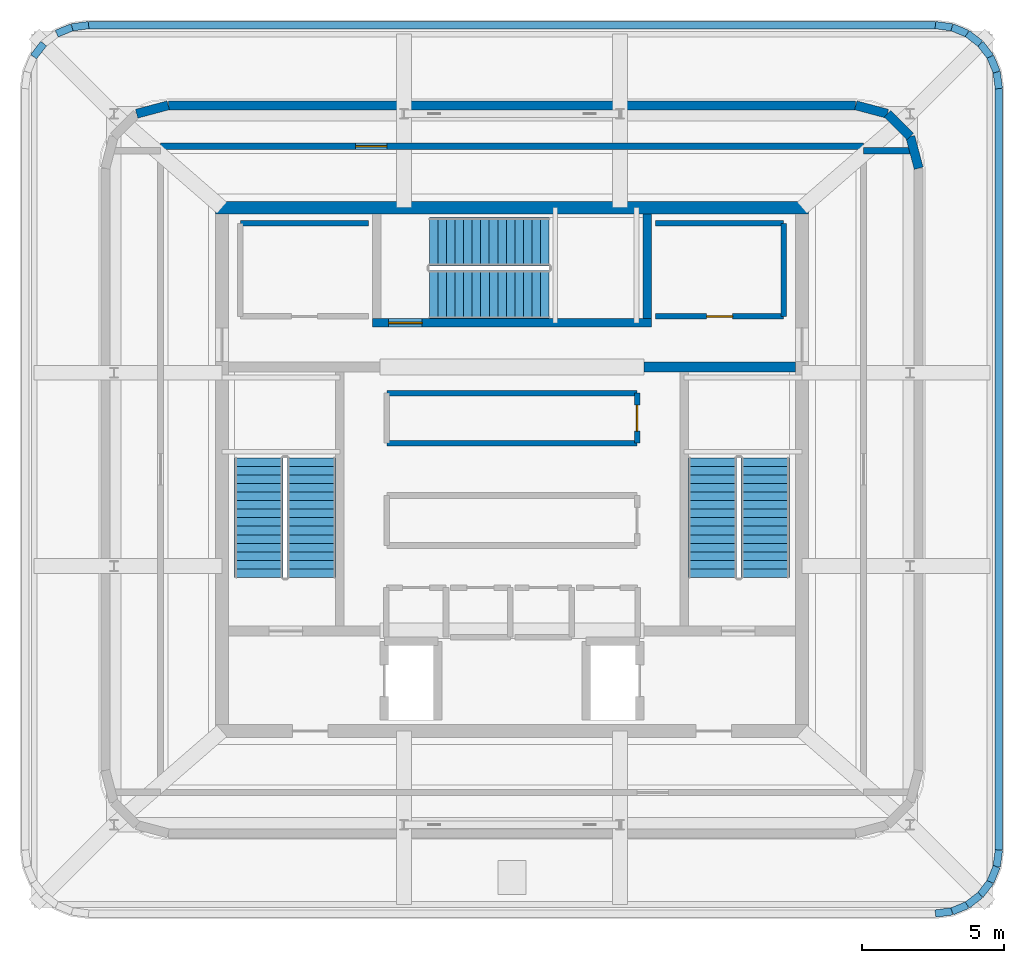
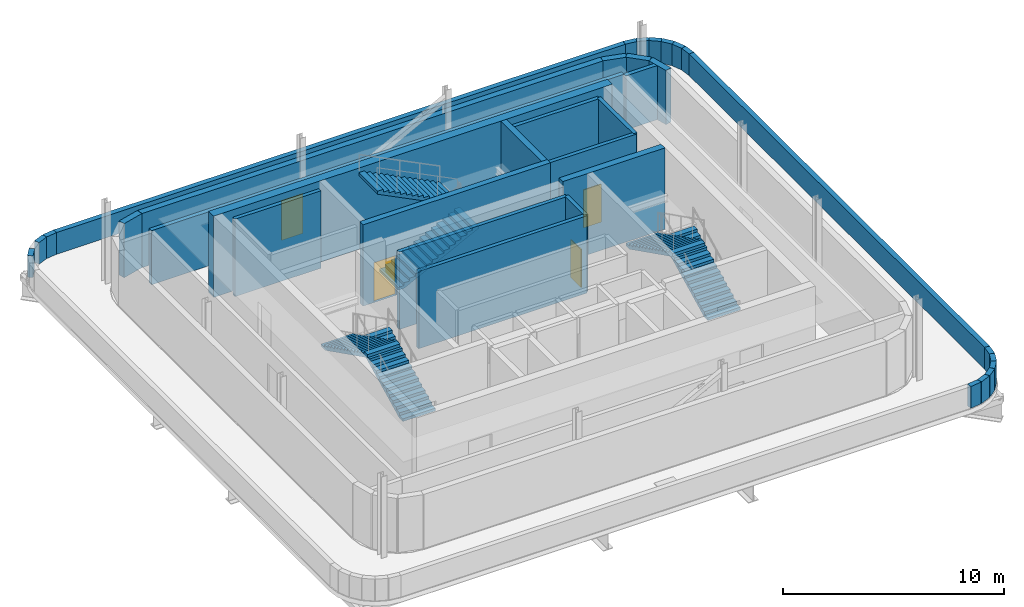
# One storey, part 4 of 5: 35 walls, 6 stair flights, 4 doors, 4 openings, 3 elements without a shape of their own.
"""IFC4 building model written with IfcOpenShell, lengths in metres."""

import ifcopenshell
import ifcopenshell.guid

model = None  # the IFC model being written
_history = None  # IfcOwnerHistory: only IFC2X3 demands one
_inside = {}  # id of a spatial element -> (the spatial element, [elements in it])
_under = {}  # id of a project, library or spatial element -> (it, [spatial elements below it])
_declared = {}  # id of a project -> (the project, [libraries it declares])
_typed = {}  # id of a type object -> (the type object, [elements of that type])
_made_of = {}  # id of a material, layer set ... -> (it, [elements and type objects made of it])


def new_model(schema):
    """Start an empty IFC model of exactly this schema.

    Asked for "IFC4X3", IfcOpenShell would pick the latest addendum, in which some entities
    have other attributes; the version numbers below select the first issue.
    IFC2X3 requires an IfcOwnerHistory on every rooted entity: one is made here for all.
    """
    global model, _history
    if schema == "IFC4X3":
        model = ifcopenshell.file(schema_version=(4, 3, 0, 0))
    else:
        model = ifcopenshell.file(schema=schema)
    _inside.clear()
    _under.clear()
    _declared.clear()
    _typed.clear()
    _made_of.clear()
    _history = None
    if model.schema == "IFC2X3":
        org = make("IfcOrganization", Name="unknown")
        user = make(
            "IfcPersonAndOrganization",
            ThePerson=make("IfcPerson", FamilyName="unknown"),
            TheOrganization=org,
        )
        app = make(
            "IfcApplication",
            ApplicationDeveloper=org,
            Version="unknown",
            ApplicationFullName="unknown",
            ApplicationIdentifier="unknown",
        )
        _history = make(
            "IfcOwnerHistory",
            OwningUser=user,
            OwningApplication=app,
            ChangeAction="ADDED",
            CreationDate=0,
        )
    return model


def make(cls, **values):
    """One entity of the class cls with the attributes given. An attribute that is None is left unset."""
    return model.create_entity(
        cls, **{name: value for name, value in values.items() if value is not None}
    )


def rooted(cls, **values):
    """An entity with a GlobalId (a new one), such as an element, a storey or a relation."""
    return make(cls, GlobalId=ifcopenshell.guid.new(), OwnerHistory=_history, **values)


def si_unit(unit_type, name, prefix=None):
    """IfcSIUnit, for example si_unit("LENGTHUNIT", "METRE", prefix="MILLI")."""
    return make("IfcSIUnit", UnitType=unit_type, Prefix=prefix, Name=name)


def assignment(units):
    """IfcUnitAssignment: the units of a project."""
    return None if units is None else make("IfcUnitAssignment", Units=units)


def point(xyz):
    """IfcCartesianPoint."""
    return None if xyz is None else make("IfcCartesianPoint", Coordinates=xyz)


def direction(xyz):
    """IfcDirection."""
    return None if xyz is None else make("IfcDirection", DirectionRatios=xyz)


def frame(location, z_axis=None, x_axis=None):
    """IfcAxis2Placement3D, a coordinate frame: its origin and axes. An axis left out is left unset."""
    return make(
        "IfcAxis2Placement3D",
        Location=point(location),
        Axis=direction(z_axis),
        RefDirection=direction(x_axis),
    )


def frame_2d(location, x_axis=None):
    """IfcAxis2Placement2D, a coordinate frame in the plane: its origin and x axis."""
    return make(
        "IfcAxis2Placement2D", Location=point(location), RefDirection=direction(x_axis)
    )


def origin():
    """The frame at (0, 0, 0) with its axes left unset."""
    return frame((0.0, 0.0, 0.0))


def place(relative_to, where):
    """IfcLocalPlacement: puts the frame where relative to a parent placement (None: the world)."""
    return make(
        "IfcLocalPlacement", PlacementRelTo=relative_to, RelativePlacement=where
    )


def context(
    kind, dimensions, precision=None, world=None, true_north=None, identifier=None
):
    """IfcGeometricRepresentationContext, for example the 3D "Model" context."""
    return make(
        "IfcGeometricRepresentationContext",
        ContextIdentifier=identifier,
        ContextType=kind,
        CoordinateSpaceDimension=dimensions,
        Precision=precision,
        WorldCoordinateSystem=world,
        TrueNorth=true_north,
    )


def subcontext(parent, identifier, kind, view, scale=None):
    """IfcGeometricRepresentationSubContext, for example "Body" below "Model"."""
    return make(
        "IfcGeometricRepresentationSubContext",
        ContextIdentifier=identifier,
        ContextType=kind,
        ParentContext=parent,
        TargetScale=scale,
        TargetView=view,
    )


def project(units=None, contexts=None):
    """IfcProject with its units and contexts."""
    return rooted(
        "IfcProject",
        Name="project",
        RepresentationContexts=contexts,
        UnitsInContext=assignment(units),
    )


def spatial(cls, under=None, at=None, **own):
    """A site, building, storey or space (cls), placed at a placement, below another one or the project."""
    s = rooted(cls, ObjectPlacement=at, **own)
    if under is not None:
        _under.setdefault(under.id(), (under, []))[1].append(s)
    return s


def polyline(points):
    """IfcPolyline through the points."""
    return make("IfcPolyline", Points=[point(p) for p in points])


def profile(cls, at=None, kind="AREA", **sizes):
    """A parametric profile (cls). Its sizes go by their IFC names, for example OverallWidth=200.0."""
    return make(cls, ProfileType=kind, Position=at, **sizes)


def rectangle(**sizes):
    """IfcRectangleProfileDef."""
    return profile("IfcRectangleProfileDef", **sizes)


def outline(outer, holes=None, kind="AREA"):
    """IfcArbitraryClosedProfileDef: a profile drawn as a closed curve; with holes, ...WithVoids."""
    if holes is None:
        return make("IfcArbitraryClosedProfileDef", ProfileType=kind, OuterCurve=outer)
    return make(
        "IfcArbitraryProfileDefWithVoids",
        ProfileType=kind,
        OuterCurve=outer,
        InnerCurves=holes,
    )


def extrude(swept, where, along, depth):
    """IfcExtrudedAreaSolid: the profile swept, set in the frame where, extruded along a direction by depth."""
    return make(
        "IfcExtrudedAreaSolid",
        SweptArea=swept,
        Position=where,
        ExtrudedDirection=direction(along),
        Depth=depth,
    )


def shape(context_of_items, identifier, shape_type, items):
    """IfcShapeRepresentation: the items that make up one representation, for example the "Body"."""
    return make(
        "IfcShapeRepresentation",
        ContextOfItems=context_of_items,
        RepresentationIdentifier=identifier,
        RepresentationType=shape_type,
        Items=items,
    )


def material(Name=None, Category=None):
    """IfcMaterial."""
    return make("IfcMaterial", Name=Name, Category=Category)


def layer(
    of_material, thickness, ventilated=None, Name=None, Category=None, Priority=None
):
    """IfcMaterialLayer: one layer of a wall or slab, of a material (None: an air gap)."""
    return make(
        "IfcMaterialLayer",
        Material=of_material,
        LayerThickness=thickness,
        IsVentilated=ventilated,
        Name=Name,
        Category=Category,
        Priority=Priority,
    )


def layer_set(layers, Name=None):
    """IfcMaterialLayerSet."""
    return make("IfcMaterialLayerSet", MaterialLayers=layers, LayerSetName=Name)


def made_of(thing, what):
    """Note that an element or type object is made of a material, layer set ...; save() writes the relation."""
    if what is not None:
        _made_of.setdefault(what.id(), (what, []))[1].append(thing)
    return thing


def type_object(cls, material=None, **own):
    """A type object (cls), such as IfcWallType, which elements share."""
    return made_of(rooted(cls, **own), material)


def element(
    cls,
    number,
    at=None,
    inside=None,
    cuts=None,
    type_object=None,
    material=None,
    context=None,
    identifier="Body",
    shape_type=None,
    held_by="IfcProductDefinitionShape",
    body=None,
    shapes=None,
    **own,
):
    """One element of the class cls, such as IfcWall. Its Tag is "e" and its number.

    at: its placement. inside: the storey or other place that contains it. cuts: it is an
    opening in that element (IfcRelVoidsElement). A single representation is given by context,
    identifier, shape_type and body (its items); several are given by shapes. held_by: the class
    of the entity that holds the representations. save() writes the other relations.
    """
    e = rooted(cls, Tag="e%d" % number, ObjectPlacement=at, **own)
    if body is not None:
        shapes = [shape(context, identifier, shape_type, body)]
    if shapes is not None:
        e.Representation = make(held_by, Representations=shapes)
    if inside is not None:
        _inside.setdefault(inside.id(), (inside, []))[1].append(e)
    if cuts is not None:
        rooted(
            "IfcRelVoidsElement", RelatingBuildingElement=cuts, RelatedOpeningElement=e
        )
    if type_object is not None:
        _typed.setdefault(type_object.id(), (type_object, []))[1].append(e)
    return made_of(e, material)


def fill(opening, filler):
    """IfcRelFillsElement: the door or window that sits in an opening."""
    return rooted(
        "IfcRelFillsElement",
        RelatingOpeningElement=opening,
        RelatedBuildingElement=filler,
    )


def aggregate(whole, parts):
    """IfcRelAggregates: a whole, such as a stair, and the parts it consists of."""
    return rooted("IfcRelAggregates", RelatingObject=whole, RelatedObjects=parts)


def save(model, path):
    """Write the relations noted so far, then the file.

    IfcRelAggregates (storeys below a building ...), IfcRelContainedInSpatialStructure (elements
    in a storey), IfcRelDefinesByType, IfcRelAssociatesMaterial and IfcRelDeclares: one each for
    every whole, place, type object, material and project.
    """
    for whole, parts in _under.values():
        aggregate(whole, parts)
    for where, things in _inside.values():
        rooted(
            "IfcRelContainedInSpatialStructure",
            RelatedElements=things,
            RelatingStructure=where,
        )
    for kind, things in _typed.values():
        rooted("IfcRelDefinesByType", RelatedObjects=things, RelatingType=kind)
    for what, things in _made_of.values():
        rooted("IfcRelAssociatesMaterial", RelatedObjects=things, RelatingMaterial=what)
    for by, libraries in _declared.values():
        rooted("IfcRelDeclares", RelatingContext=by, RelatedDefinitions=libraries)
    model.write(path)


model = new_model("IFC4")

# Units and contexts
model_context = context("Model", 3, precision=1e-05, world=origin(), true_north=direction((0.0, 1.0)))
body_context = subcontext(model_context, "Body", "Model", "MODEL_VIEW")
ifc_project = project(units=[si_unit("LENGTHUNIT", "METRE"), si_unit("AREAUNIT", "SQUARE_METRE"), si_unit("VOLUMEUNIT", "CUBIC_METRE"), si_unit("PLANEANGLEUNIT", "RADIAN"), si_unit("MASSUNIT", "GRAM", prefix="KILO")], contexts=[model_context])

# Site, building, storey
site_placement = place(None, origin())
site = spatial("IfcSite", under=ifc_project, at=site_placement, CompositionType="ELEMENT")
building_placement = place(site_placement, origin())
building = spatial("IfcBuilding", under=site, at=building_placement, Name="Punatoya Terracotta Tower", CompositionType="ELEMENT")
storey_placement = place(building_placement, frame((0.0, 0.0, 361.800048828125)))
storey = spatial("IfcBuildingStorey", under=building, at=storey_placement, Name="L85", CompositionType="ELEMENT", Elevation=361.800048828125)

# Walls
ifc_material_1 = material(Name="Concrete C50/60", Category="concrete")
ifc_layer_1 = layer(ifc_material_1, 0.449951171875)
ifc_layer_set_1 = layer_set([ifc_layer_1], Name="Concrete C50/60")
wall_type_1 = type_object("IfcWallType", Name="WL-COR-450", PredefinedType="SHEAR", material=ifc_layer_set_1)
wall_1_placement = place(storey_placement, frame((-10.425048828125, 9.199951171875, 0.0), z_axis=(0.0, 0.0, 1.0), x_axis=(1.0, 0.0, 0.0)))
element("IfcWall", 1, at=wall_1_placement, inside=storey, type_object=wall_type_1, Name="L85 Core Shear Wall N", PredefinedType="SHEAR", context=body_context, shape_type="SweptSolid", body=[
    extrude(rectangle(XDim=20.85009765625, YDim=0.449951171875, at=frame_2d((10.425048828125, 0.0))), origin(), (0.0, 0.0, 1.0), 4.5),
])
ifc_material_2 = material(Name="Precast concrete C40/50", Category="concrete")
ifc_layer_2 = layer(ifc_material_2, 0.320068359375)
ifc_layer_set_2 = layer_set([ifc_layer_2], Name="Precast concrete C40/50")
wall_type_2 = type_object("IfcWallType", Name="WL-EXT-320", PredefinedType="SOLIDWALL", material=ifc_layer_set_2)
wall_2_placement = place(storey_placement, frame((14.300048828125, 10.5869140625, 0.0), z_axis=(0.0, 0.0, 1.0), x_axis=(-0.25727979053, 0.966336954372, 0.0)))
element("IfcWall", 2, at=wall_2_placement, inside=storey, type_object=wall_type_2, Name="L85 Rounded Terracotta Corner Pier 06", PredefinedType="SOLIDWALL", context=body_context, shape_type="SweptSolid", body=[
    extrude(rectangle(XDim=1.151123046875, YDim=0.320068359375, at=frame_2d((0.57568359375, 0.0))), origin(), (0.0, 0.0, 1.0), 2.993896484375),
])
wall_3_placement = place(storey_placement, frame((14.00390625, 11.69921875, 0.0), z_axis=(0.0, 0.0, 1.0), x_axis=(-0.707106781187, 0.707106781187, 0.0)))
element("IfcWall", 3, at=wall_3_placement, inside=storey, type_object=wall_type_2, Name="L85 Rounded Terracotta Corner Pier 07", PredefinedType="SOLIDWALL", context=body_context, shape_type="SweptSolid", body=[
    extrude(rectangle(XDim=1.137939453125, YDim=0.320068359375, at=frame_2d((0.56884765625, 0.0))), origin(), (0.0, 0.0, 1.0), 2.993896484375),
])
wall_4_placement = place(storey_placement, frame((13.19921875, 12.50390625, 0.0), z_axis=(0.0, 0.0, 1.0), x_axis=(-0.966336954372, 0.25727979053, 0.0)))
element("IfcWall", 4, at=wall_4_placement, inside=storey, type_object=wall_type_2, Name="L85 Rounded Terracotta Corner Pier 08", PredefinedType="SOLIDWALL", context=body_context, shape_type="SweptSolid", body=[
    extrude(rectangle(XDim=1.151123046875, YDim=0.320068359375, at=frame_2d((0.57568359375, 0.0))), origin(), (0.0, 0.0, 1.0), 2.993896484375),
])
wall_5_placement = place(storey_placement, frame((12.0869140625, 12.800048828125, 0.0), z_axis=(0.0, 0.0, 1.0), x_axis=(-1.0, 0.0, 0.0)))
element("IfcWall", 5, at=wall_5_placement, inside=storey, type_object=wall_type_2, Name="L85 Terracotta Louvre Plant Enclosure N", PredefinedType="SOLIDWALL", context=body_context, shape_type="SweptSolid", body=[
    extrude(rectangle(XDim=24.173828125, YDim=0.320068359375, at=frame_2d((12.0869140625, 0.0))), origin(), (0.0, 0.0, 1.0), 2.993896484375),
])
wall_6_placement = place(storey_placement, frame((-12.0869140625, 12.800048828125, 0.0), z_axis=(0.0, 0.0, 1.0), x_axis=(-0.966336954372, -0.25727979053, 0.0)))
element("IfcWall", 6, at=wall_6_placement, inside=storey, type_object=wall_type_2, Name="L85 Rounded Terracotta Corner Pier 10", PredefinedType="SOLIDWALL", context=body_context, shape_type="SweptSolid", body=[
    extrude(rectangle(XDim=1.151123046875, YDim=0.320068359375, at=frame_2d((0.57568359375, 0.0))), origin(), (0.0, 0.0, 1.0), 2.993896484375),
])
ifc_material_3 = material(Name="Concrete C40/50", Category="concrete")
ifc_layer_3 = layer(ifc_material_3, 0.219970703125)
ifc_layer_set_3 = layer_set([ifc_layer_3], Name="Concrete C40/50")
wall_type_3 = type_object("IfcWallType", Name="WL-FIR-220", PredefinedType="SOLIDWALL", material=ifc_layer_set_3)
wall_7_placement = place(storey_placement, frame((12.360107421875, 11.199951171875, 0.0), z_axis=(0.0, 0.0, 1.0), x_axis=(1.0, 0.0, 0.0)))
element("IfcWall", 7, at=wall_7_placement, inside=storey, type_object=wall_type_3, Name="L85 Crown East Lift Machine and BMS Control Plant Partition 32", PredefinedType="SOLIDWALL", context=body_context, shape_type="SweptSolid", body=[
    extrude(rectangle(XDim=1.828857421875, YDim=0.219970703125, at=frame_2d((0.91455078125, 0.0))), origin(), (0.0, 0.0, 1.0), 2.993896484375),
])

# Wall, opening, door
wall_8_placement = place(storey_placement, frame((12.360107421875, 11.360107421875, 0.0), z_axis=(0.0, 0.0, 1.0), x_axis=(-1.0, 0.0, 0.0)))
wall_8 = element("IfcWall", 8, at=wall_8_placement, inside=storey, type_object=wall_type_3, Name="L85 Crown North Standby Power and Booster Pump Plant Partition 33", PredefinedType="SOLIDWALL", context=body_context, shape_type="SweptSolid", body=[
    extrude(rectangle(XDim=24.72021484375, YDim=0.219970703125, at=frame_2d((12.360107421875, 0.0))), origin(), (0.0, 0.0, 1.0), 2.993896484375),
])
opening_1_placement = place(wall_8_placement, frame((16.760009765625, 0.0, 0.0)))
opening_1 = element("IfcOpeningElement", 9, at=opening_1_placement, cuts=wall_8, Name="Opening FD-P1", PredefinedType="OPENING", context=body_context, shape_type="SweptSolid", body=[
    extrude(rectangle(XDim=1.10009765625, YDim=2.199951171875, at=frame_2d((0.550048828125, 1.10009765625))), frame((0.0, 0.119873046875, 0.0), z_axis=(0.0, -1.0, 0.0), x_axis=(1.0, 0.0, 0.0)), (0.0, 0.0, 1.0), 0.239990234375),
])
ifc_material_4 = material(Name="Galvanised Steel Plant Fire Door", Category="steel")
door_type_1 = type_object("IfcDoorType", Name="DR-PLT-1100", OperationType="NOTDEFINED", PredefinedType="DOOR", material=ifc_material_4)
door_1_placement = place(opening_1_placement, origin())
door_1 = element("IfcDoor", 10, at=door_1_placement, inside=storey, type_object=door_type_1, Name="L85 Crown North Standby Power and Booster Pump Plant Fire Door", OperationType="SINGLE_SWING_RIGHT", OverallHeight=2.199951171875, OverallWidth=1.10009765625, PredefinedType="DOOR", context=body_context, shape_type="SweptSolid", body=[
    extrude(rectangle(XDim=1.10009765625, YDim=2.199951171875, at=frame_2d((0.550048828125, 1.10009765625))), frame((0.0, 0.02490234375, 0.0), z_axis=(0.0, -1.0, 0.0), x_axis=(1.0, 0.0, 0.0)), (0.0, 0.0, 1.0), 0.050048828125),
])
fill(opening_1, door_1)

ifc_layer_4 = layer(ifc_material_3, 0.199951171875)
ifc_layer_set_4 = layer_set([ifc_layer_4], Name="Concrete C40/50")
wall_type_4 = type_object("IfcWallType", Name="WL-INT-200", PredefinedType="SOLIDWALL", material=ifc_layer_set_4)
wall_9_placement = place(storey_placement, frame((4.39990234375, 0.919921875, 0.0), z_axis=(0.0, 0.0, 1.0), x_axis=(0.0, 1.0, 0.0)))
wall_9 = element("IfcWall", 11, at=wall_9_placement, inside=storey, type_object=wall_type_4, Name="L85 Crown Stair Pressurization Fan Room Partition 16", PredefinedType="SOLIDWALL", context=body_context, shape_type="SweptSolid", body=[
    extrude(rectangle(XDim=1.760009765625, YDim=0.199951171875, at=frame_2d((0.8798828125, 0.0))), origin(), (0.0, 0.0, 1.0), 4.280029296875),
])
opening_2_placement = place(wall_9_placement, frame((0.419921875, 0.0, 0.0)))
opening_2 = element("IfcOpeningElement", 12, at=opening_2_placement, cuts=wall_9, Name="Opening FD-R1", PredefinedType="OPENING", context=body_context, shape_type="SweptSolid", body=[
    extrude(rectangle(XDim=0.919921875, YDim=2.10009765625, at=frame_2d((0.4599609375, 1.050048828125))), frame((0.0, 0.10986328125, 0.0), z_axis=(0.0, -1.0, 0.0), x_axis=(1.0, 0.0, 0.0)), (0.0, 0.0, 1.0), 0.219970703125),
])
ifc_material_5 = material(Name="Galvanised Steel Riser Fire Access Door", Category="steel")
door_type_2 = type_object("IfcDoorType", Name="DR-RSR-920", OperationType="NOTDEFINED", PredefinedType="DOOR", material=ifc_material_5)
door_2_placement = place(opening_2_placement, origin())
door_2 = element("IfcDoor", 13, at=door_2_placement, inside=storey, type_object=door_type_2, Name="L85 Crown Stair Pressurization Fan Room Fire Door", OperationType="SINGLE_SWING_RIGHT", OverallHeight=2.10009765625, OverallWidth=0.919921875, PredefinedType="DOOR", context=body_context, shape_type="SweptSolid", body=[
    extrude(rectangle(XDim=0.919921875, YDim=2.10009765625, at=frame_2d((0.4599609375, 1.050048828125))), frame((0.0, 0.02490234375, 0.0), z_axis=(0.0, -1.0, 0.0), x_axis=(1.0, 0.0, 0.0)), (0.0, 0.0, 1.0), 0.050048828125),
])
fill(opening_2, door_2)

# Walls
for number, where, z_axis, x_axis, name in (
    (14, (4.39990234375, 2.679931640625, 0.0), (0.0, 0.0, 1.0), (-1.0, 0.0, 0.0), "L85 Crown Stair Pressurization Fan Room Partition 17"),
    (15, (-4.39990234375, 0.919921875, 0.0), (0.0, 0.0, 1.0), (1.0, 0.0, 0.0), "L85 Crown Stair Pressurization Fan Room Partition 19"),
):
    element("IfcWall", number, at=place(storey_placement, frame(where, z_axis=z_axis, x_axis=x_axis)), inside=storey, type_object=wall_type_4, Name=name, PredefinedType="SOLIDWALL", context=body_context, shape_type="SweptSolid", body=[
        extrude(rectangle(XDim=8.7998046875, YDim=0.199951171875, at=frame_2d((4.39990234375, 0.0))), origin(), (0.0, 0.0, 1.0), 4.280029296875),
    ])
wall_10_placement = place(storey_placement, frame((-5.050048828125, 8.64990234375, 0.0), z_axis=(0.0, 0.0, 1.0), x_axis=(-1.0, 0.0, 0.0)))
element("IfcWall", 16, at=wall_10_placement, inside=storey, type_object=wall_type_4, Name="L85 West Duct Riser Partition 20", PredefinedType="SOLIDWALL", context=body_context, shape_type="SweptSolid", body=[
    extrude(rectangle(XDim=4.5, YDim=0.199951171875, at=frame_2d((2.25, 0.0))), origin(), (0.0, 0.0, 1.0), 4.280029296875),
])
wall_11_placement = place(storey_placement, frame((9.550048828125, 5.3798828125, 0.0), z_axis=(0.0, 0.0, 1.0), x_axis=(0.0, 1.0, 0.0)))
element("IfcWall", 17, at=wall_11_placement, inside=storey, type_object=wall_type_4, Name="L85 East Duct Riser Partition 23", PredefinedType="SOLIDWALL", context=body_context, shape_type="SweptSolid", body=[
    extrude(rectangle(XDim=3.27001953125, YDim=0.199951171875, at=frame_2d((1.635009765625, 0.0))), origin(), (0.0, 0.0, 1.0), 4.280029296875),
])
wall_12_placement = place(storey_placement, frame((9.550048828125, 8.64990234375, 0.0), z_axis=(0.0, 0.0, 1.0), x_axis=(-1.0, 0.0, 0.0)))
element("IfcWall", 18, at=wall_12_placement, inside=storey, type_object=wall_type_4, Name="L85 East Duct Riser Partition 24", PredefinedType="SOLIDWALL", context=body_context, shape_type="SweptSolid", body=[
    extrude(rectangle(XDim=4.5, YDim=0.199951171875, at=frame_2d((2.25, 0.0))), origin(), (0.0, 0.0, 1.0), 4.280029296875),
])

# Wall, opening, door
wall_13_placement = place(storey_placement, frame((5.050048828125, 5.3798828125, 0.0), z_axis=(0.0, 0.0, 1.0), x_axis=(1.0, 0.0, 0.0)))
wall_13 = element("IfcWall", 19, at=wall_13_placement, inside=storey, type_object=wall_type_4, Name="L85 East Duct Riser Partition 25", PredefinedType="SOLIDWALL", context=body_context, shape_type="SweptSolid", body=[
    extrude(rectangle(XDim=4.5, YDim=0.199951171875, at=frame_2d((2.25, 0.0))), origin(), (0.0, 0.0, 1.0), 4.280029296875),
])
opening_3_placement = place(wall_13_placement, frame((1.7900390625, 0.0, 0.0)))
opening_3 = element("IfcOpeningElement", 20, at=opening_3_placement, cuts=wall_13, Name="Opening FD-R1", PredefinedType="OPENING", context=body_context, shape_type="SweptSolid", body=[
    extrude(rectangle(XDim=0.919921875, YDim=2.10009765625, at=frame_2d((0.4599609375, 1.050048828125))), frame((0.0, 0.10986328125, 0.0), z_axis=(0.0, -1.0, 0.0), x_axis=(1.0, 0.0, 0.0)), (0.0, 0.0, 1.0), 0.219970703125),
])
door_3_placement = place(opening_3_placement, origin())
door_3 = element("IfcDoor", 21, at=door_3_placement, inside=storey, type_object=door_type_2, Name="L85 East Duct Riser Fire Door", OperationType="SINGLE_SWING_RIGHT", OverallHeight=2.10009765625, OverallWidth=0.919921875, PredefinedType="DOOR", context=body_context, shape_type="SweptSolid", body=[
    extrude(rectangle(XDim=0.919921875, YDim=2.10009765625, at=frame_2d((0.4599609375, 1.050048828125))), frame((0.0, 0.02490234375, 0.0), z_axis=(0.0, -1.0, 0.0), x_axis=(1.0, 0.0, 0.0)), (0.0, 0.0, 1.0), 0.050048828125),
])
fill(opening_3, door_3)

# Walls
ifc_layer_5 = layer(ifc_material_2, 0.260009765625)
ifc_layer_set_5 = layer_set([ifc_layer_5], Name="Precast concrete C40/50")
wall_type_5 = type_object("IfcWallType", Name="WL-PAR-260", PredefinedType="PARAPET", material=ifc_layer_set_5)
wall_14_placement = place(storey_placement, frame((14.88818359375, -15.6201171875, 0.0), z_axis=(0.0, 0.0, 1.0), x_axis=(0.991389498301, 0.130946029567, 0.0)))
element("IfcWall", 22, at=wall_14_placement, inside=storey, type_object=wall_type_5, Name="L85 Roof Parapet Wall PAR-L85-STEP-01", PredefinedType="PARAPET", context=body_context, shape_type="SweptSolid", body=[
    extrude(rectangle(XDim=0.591064453125, YDim=0.260009765625, at=frame_2d((0.29541015625, 0.0))), origin(), (0.0, 0.0, 1.0), 1.199951171875),
])
for number, where, z_axis, x_axis, name in (
    (23, (15.47412109375, -15.542724609375, 0.0), (0.0, 0.0, 1.0), (0.924021967886, 0.382339381785, 0.0), "L85 Roof Parapet Wall PAR-L85-STEP-02"),
    (24, (16.00927734375, -15.3212890625, 0.0), (0.0, 0.0, 1.0), (0.7933756116, 0.608732403374, 0.0), "L85 Roof Parapet Wall PAR-L85-STEP-03"),
    (25, (16.46875, -14.96875, 0.0), (0.0, 0.0, 1.0), (0.608732403374, 0.7933756116, 0.0), "L85 Roof Parapet Wall PAR-L85-STEP-04"),
    (26, (16.8212890625, -14.50927734375, 0.0), (0.0, 0.0, 1.0), (0.382339381785, 0.924021967886, 0.0), "L85 Roof Parapet Wall PAR-L85-STEP-05"),
):
    element("IfcWall", number, at=place(storey_placement, frame(where, z_axis=z_axis, x_axis=x_axis)), inside=storey, type_object=wall_type_5, Name=name, PredefinedType="PARAPET", context=body_context, shape_type="SweptSolid", body=[
        extrude(rectangle(XDim=0.5791015625, YDim=0.260009765625, at=frame_2d((0.28955078125, 0.0))), origin(), (0.0, 0.0, 1.0), 1.199951171875),
    ])
wall_15_placement = place(storey_placement, frame((17.042724609375, -13.97412109375, 0.0), z_axis=(0.0, 0.0, 1.0), x_axis=(0.130946029567, 0.991389498301, 0.0)))
element("IfcWall", 27, at=wall_15_placement, inside=storey, type_object=wall_type_5, Name="L85 Roof Parapet Wall PAR-L85-STEP-06", PredefinedType="PARAPET", context=body_context, shape_type="SweptSolid", body=[
    extrude(rectangle(XDim=0.591064453125, YDim=0.260009765625, at=frame_2d((0.29541015625, 0.0))), origin(), (0.0, 0.0, 1.0), 1.199951171875),
])
wall_16_placement = place(storey_placement, frame((17.1201171875, -13.38818359375, 0.0), z_axis=(0.0, 0.0, 1.0), x_axis=(0.0, 1.0, 0.0)))
element("IfcWall", 28, at=wall_16_placement, inside=storey, type_object=wall_type_5, Name="L85 Roof Parapet Wall PAR-L85-STEP-07", PredefinedType="PARAPET", context=body_context, shape_type="SweptSolid", body=[
    extrude(rectangle(XDim=26.7763671875, YDim=0.260009765625, at=frame_2d((13.38818359375, 0.0))), origin(), (0.0, 0.0, 1.0), 1.199951171875),
])
wall_17_placement = place(storey_placement, frame((17.1201171875, 13.38818359375, 0.0), z_axis=(0.0, 0.0, 1.0), x_axis=(-0.130946029567, 0.991389498301, 0.0)))
element("IfcWall", 29, at=wall_17_placement, inside=storey, type_object=wall_type_5, Name="L85 Roof Parapet Wall PAR-L85-STEP-08", PredefinedType="PARAPET", context=body_context, shape_type="SweptSolid", body=[
    extrude(rectangle(XDim=0.591064453125, YDim=0.260009765625, at=frame_2d((0.29541015625, 0.0))), origin(), (0.0, 0.0, 1.0), 1.199951171875),
])
for number, where, z_axis, x_axis, name in (
    (30, (17.042724609375, 13.97412109375, 0.0), (0.0, 0.0, 1.0), (-0.382339381785, 0.924021967886, 0.0), "L85 Roof Parapet Wall PAR-L85-STEP-09"),
    (31, (16.8212890625, 14.50927734375, 0.0), (0.0, 0.0, 1.0), (-0.608732403374, 0.7933756116, 0.0), "L85 Roof Parapet Wall PAR-L85-STEP-10"),
    (32, (16.46875, 14.96875, 0.0), (0.0, 0.0, 1.0), (-0.7933756116, 0.608732403374, 0.0), "L85 Roof Parapet Wall PAR-L85-STEP-11"),
    (33, (16.00927734375, 15.3212890625, 0.0), (0.0, 0.0, 1.0), (-0.924021967886, 0.382339381785, 0.0), "L85 Roof Parapet Wall PAR-L85-STEP-12"),
):
    element("IfcWall", number, at=place(storey_placement, frame(where, z_axis=z_axis, x_axis=x_axis)), inside=storey, type_object=wall_type_5, Name=name, PredefinedType="PARAPET", context=body_context, shape_type="SweptSolid", body=[
        extrude(rectangle(XDim=0.5791015625, YDim=0.260009765625, at=frame_2d((0.28955078125, 0.0))), origin(), (0.0, 0.0, 1.0), 1.199951171875),
    ])
wall_18_placement = place(storey_placement, frame((15.47412109375, 15.542724609375, 0.0), z_axis=(0.0, 0.0, 1.0), x_axis=(-0.991389498301, 0.130946029567, 0.0)))
element("IfcWall", 34, at=wall_18_placement, inside=storey, type_object=wall_type_5, Name="L85 Roof Parapet Wall PAR-L85-STEP-13", PredefinedType="PARAPET", context=body_context, shape_type="SweptSolid", body=[
    extrude(rectangle(XDim=0.591064453125, YDim=0.260009765625, at=frame_2d((0.29541015625, 0.0))), origin(), (0.0, 0.0, 1.0), 1.199951171875),
])
wall_19_placement = place(storey_placement, frame((14.88818359375, 15.6201171875, 0.0), z_axis=(0.0, 0.0, 1.0), x_axis=(-1.0, 0.0, 0.0)))
element("IfcWall", 35, at=wall_19_placement, inside=storey, type_object=wall_type_5, Name="L85 Roof Parapet Wall PAR-L85-STEP-14", PredefinedType="PARAPET", context=body_context, shape_type="SweptSolid", body=[
    extrude(rectangle(XDim=29.7763671875, YDim=0.260009765625, at=frame_2d((14.88818359375, 0.0))), origin(), (0.0, 0.0, 1.0), 1.199951171875),
])
wall_20_placement = place(storey_placement, frame((-14.88818359375, 15.6201171875, 0.0), z_axis=(0.0, 0.0, 1.0), x_axis=(-0.991389498301, -0.130946029567, 0.0)))
element("IfcWall", 36, at=wall_20_placement, inside=storey, type_object=wall_type_5, Name="L85 Roof Parapet Wall PAR-L85-STEP-15", PredefinedType="PARAPET", context=body_context, shape_type="SweptSolid", body=[
    extrude(rectangle(XDim=0.591064453125, YDim=0.260009765625, at=frame_2d((0.29541015625, 0.0))), origin(), (0.0, 0.0, 1.0), 1.199951171875),
])
for number, where, z_axis, x_axis, name in (
    (37, (-15.47412109375, 15.542724609375, 0.0), (0.0, 0.0, 1.0), (-0.924021967886, -0.382339381785, 0.0), "L85 Roof Parapet Wall PAR-L85-STEP-16"),
    (38, (-16.46875, 14.96875, 0.0), (0.0, 0.0, 1.0), (-0.608732403374, -0.7933756116, 0.0), "L85 Roof Parapet Wall PAR-L85-STEP-18"),
):
    element("IfcWall", number, at=place(storey_placement, frame(where, z_axis=z_axis, x_axis=x_axis)), inside=storey, type_object=wall_type_5, Name=name, PredefinedType="PARAPET", context=body_context, shape_type="SweptSolid", body=[
        extrude(rectangle(XDim=0.5791015625, YDim=0.260009765625, at=frame_2d((0.28955078125, 0.0))), origin(), (0.0, 0.0, 1.0), 1.199951171875),
    ])
ifc_layer_6 = layer(ifc_material_3, 0.300048828125)
ifc_layer_set_6 = layer_set([ifc_layer_6], Name="Concrete C40/50")
wall_type_6 = type_object("IfcWallType", Name="WL-SHF-300", PredefinedType="SOLIDWALL", material=ifc_layer_set_6)
wall_21_placement = place(storey_placement, frame((4.75, 8.97509765625, 0.0), z_axis=(0.0, 0.0, 1.0), x_axis=(0.0, -1.0, 0.0)))
element("IfcWall", 39, at=wall_21_placement, inside=storey, type_object=wall_type_6, Name="L85 Structural Stair Shaft Wall SW-ST3-E", PredefinedType="SOLIDWALL", context=body_context, shape_type="SweptSolid", body=[
    extrude(rectangle(XDim=3.675048828125, YDim=0.300048828125, at=frame_2d((1.83740234375, 0.0))), origin(), (0.0, 0.0, 1.0), 4.5),
])

# Wall, opening, door
wall_22_placement = place(storey_placement, frame((-4.89990234375, 5.14990234375, 0.0), z_axis=(0.0, 0.0, 1.0), x_axis=(1.0, 0.0, 0.0)))
wall_22 = element("IfcWall", 40, at=wall_22_placement, inside=storey, type_object=wall_type_6, Name="L85 Structural Stair Shaft Wall SW-ST3-S", PredefinedType="SOLIDWALL", context=body_context, shape_type="SweptSolid", body=[
    extrude(rectangle(XDim=9.7998046875, YDim=0.300048828125, at=frame_2d((4.89990234375, 0.0))), origin(), (0.0, 0.0, 1.0), 4.5),
])
opening_4_placement = place(wall_22_placement, frame((0.56005859375, 0.0, 0.0)))
opening_4 = element("IfcOpeningElement", 41, at=opening_4_placement, cuts=wall_22, Name="Opening SD-01", PredefinedType="OPENING", context=body_context, shape_type="SweptSolid", body=[
    extrude(rectangle(XDim=1.179931640625, YDim=2.199951171875, at=frame_2d((0.58984375, 1.10009765625))), frame((0.0, 0.159912109375, 0.0), z_axis=(0.0, -1.0, 0.0), x_axis=(1.0, 0.0, 0.0)), (0.0, 0.0, 1.0), 0.320068359375),
])
ifc_material_6 = material(Name="Galvanised Steel Pressurized Stair Fire Door", Category="steel")
door_type_3 = type_object("IfcDoorType", Name="DR-STR-1180", OperationType="NOTDEFINED", PredefinedType="DOOR", material=ifc_material_6)
door_4_placement = place(opening_4_placement, origin())
door_4 = element("IfcDoor", 42, at=door_4_placement, inside=storey, type_object=door_type_3, Name="L85 Stair ST-3 Core Lobby Fire Door", OperationType="SINGLE_SWING_LEFT", OverallHeight=2.199951171875, OverallWidth=1.179931640625, PredefinedType="DOOR", context=body_context, shape_type="SweptSolid", body=[
    extrude(rectangle(XDim=1.179931640625, YDim=2.199951171875, at=frame_2d((0.58984375, 1.10009765625))), frame((0.0, 0.02490234375, 0.0), z_axis=(0.0, -1.0, 0.0), x_axis=(1.0, 0.0, 0.0)), (0.0, 0.0, 1.0), 0.050048828125),
])
fill(opening_4, door_4)

# Wall
ifc_layer_7 = layer(ifc_material_1, 0.35009765625)
ifc_layer_set_7 = layer_set([ifc_layer_7], Name="Concrete C50/60")
wall_type_7 = type_object("IfcWallType", Name="WL-SHF-350", PredefinedType="SOLIDWALL", material=ifc_layer_set_7)
wall_23_placement = place(storey_placement, frame((4.64990234375, 3.60009765625, 0.0), z_axis=(0.0, 0.0, 1.0), x_axis=(1.0, 0.0, 0.0)))
element("IfcWall", 43, at=wall_23_placement, inside=storey, type_object=wall_type_7, Name="L85 Core Web Wall CNW-R", PredefinedType="SOLIDWALL", context=body_context, shape_type="SweptSolid", body=[
    extrude(rectangle(XDim=5.3251953125, YDim=0.35009765625, at=frame_2d((2.66259765625, 0.0))), origin(), (0.0, 0.0, 1.0), 4.5),
])

# Stair, stair flights
stair_type_1 = type_object("IfcStairType", Name="STR-CORE-1550", PredefinedType="HALF_TURN_STAIR", material=ifc_material_3)
stair_1_placement = place(storey_placement, origin())
stair_1 = element("IfcStair", 44, at=stair_1_placement, inside=storey, type_object=stair_type_1, Name="L85 Protected Core Exit Stair ST-1", PredefinedType="HALF_TURN_STAIR")
stair_flight_type_1 = type_object("IfcStairFlightType", Name="SFL-CORE-1550", PredefinedType="STRAIGHT", material=ifc_material_3)
stair_flight_1_placement = place(storey_placement, frame((-7.050048828125, -3.800048828125, 0.0), z_axis=(0.0, 0.0, 1.0), x_axis=(0.0, 1.0, 0.0)))
stair_flight_1 = element("IfcStairFlight", 45, at=stair_flight_1_placement, type_object=stair_flight_type_1, Name="ST-1 flight 1", NumberOfRisers=15, NumberOfTreads=14, PredefinedType="STRAIGHT", RiserHeight=0.15, TreadLength=0.3, context=body_context, shape_type="SweptSolid", body=[
    extrude(outline(polyline([(0.0, 0.0), (0.0, 0.14990234375), (0.300048828125, 0.14990234375), (0.300048828125, 0.300048828125), (0.60009765625, 0.300048828125), (0.60009765625, 0.449951171875), (0.89990234375, 0.449951171875), (0.89990234375, 0.60009765625), (1.199951171875, 0.60009765625), (1.199951171875, 0.75), (1.5, 0.75), (1.5, 0.89990234375), (1.800048828125, 0.89990234375), (1.800048828125, 1.050048828125), (2.10009765625, 1.050048828125), (2.10009765625, 1.199951171875), (2.39990234375, 1.199951171875), (2.39990234375, 1.35009765625), (2.699951171875, 1.35009765625), (2.699951171875, 1.5), (3.0, 1.5), (3.0, 1.64990234375), (3.300048828125, 1.64990234375), (3.300048828125, 1.800048828125), (3.60009765625, 1.800048828125), (3.60009765625, 1.949951171875), (3.89990234375, 1.949951171875), (3.89990234375, 2.10009765625), (4.199951171875, 2.10009765625), (4.199951171875, 2.25), (4.199951171875, 1.932373046875), (0.335205078125, 0.0), (0.0, 0.0)])), frame((0.0, 0.85009765625, 0.0), z_axis=(0.0, -1.0, 0.0), x_axis=(1.0, 0.0, 0.0)), (0.0, 0.0, 1.0), 1.699951171875),
])
stair_flight_2_placement = place(storey_placement, frame((-8.89990234375, 0.39990234375, 2.25), z_axis=(0.0, 0.0, 1.0), x_axis=(0.0, -1.0, 0.0)))
stair_flight_2 = element("IfcStairFlight", 46, at=stair_flight_2_placement, type_object=stair_flight_type_1, Name="ST-1 flight 2", NumberOfRisers=15, NumberOfTreads=14, PredefinedType="STRAIGHT", RiserHeight=0.15, TreadLength=0.3, context=body_context, shape_type="SweptSolid", body=[
    extrude(outline(polyline([(0.0, 0.0), (0.0, 0.14990234375), (0.300048828125, 0.14990234375), (0.300048828125, 0.300048828125), (0.60009765625, 0.300048828125), (0.60009765625, 0.449951171875), (0.89990234375, 0.449951171875), (0.89990234375, 0.60009765625), (1.199951171875, 0.60009765625), (1.199951171875, 0.75), (1.5, 0.75), (1.5, 0.89990234375), (1.800048828125, 0.89990234375), (1.800048828125, 1.050048828125), (2.10009765625, 1.050048828125), (2.10009765625, 1.199951171875), (2.39990234375, 1.199951171875), (2.39990234375, 1.35009765625), (2.699951171875, 1.35009765625), (2.699951171875, 1.5), (3.0, 1.5), (3.0, 1.64990234375), (3.300048828125, 1.64990234375), (3.300048828125, 1.800048828125), (3.60009765625, 1.800048828125), (3.60009765625, 1.949951171875), (3.89990234375, 1.949951171875), (3.89990234375, 2.10009765625), (4.199951171875, 2.10009765625), (4.199951171875, 2.25), (4.199951171875, 1.932373046875), (0.335205078125, 0.0), (0.0, 0.0)])), frame((0.0, 0.85009765625, 0.0), z_axis=(0.0, -1.0, 0.0), x_axis=(1.0, 0.0, 0.0)), (0.0, 0.0, 1.0), 1.699951171875),
])
aggregate(stair_1, [stair_flight_1, stair_flight_2])

stair_type_2 = type_object("IfcStairType", Name="STR-LOB-1650", PredefinedType="HALF_TURN_STAIR", material=ifc_material_3)
stair_2_placement = place(storey_placement, origin())
stair_2 = element("IfcStair", 47, at=stair_2_placement, inside=storey, type_object=stair_type_2, Name="L85 Protected Core Exit Stair ST-2", PredefinedType="HALF_TURN_STAIR")
stair_flight_type_2 = type_object("IfcStairFlightType", Name="SFL-LOB-1650", PredefinedType="STRAIGHT", material=ifc_material_3)
stair_flight_3_placement = place(storey_placement, frame((8.89990234375, -3.800048828125, 0.0), z_axis=(0.0, 0.0, 1.0), x_axis=(0.0, 1.0, 0.0)))
stair_flight_3 = element("IfcStairFlight", 48, at=stair_flight_3_placement, type_object=stair_flight_type_2, Name="ST-2 flight 1", NumberOfRisers=15, NumberOfTreads=14, PredefinedType="STRAIGHT", RiserHeight=0.15, TreadLength=0.3, context=body_context, shape_type="SweptSolid", body=[
    extrude(outline(polyline([(0.0, 0.0), (0.0, 0.14990234375), (0.300048828125, 0.14990234375), (0.300048828125, 0.300048828125), (0.60009765625, 0.300048828125), (0.60009765625, 0.449951171875), (0.89990234375, 0.449951171875), (0.89990234375, 0.60009765625), (1.199951171875, 0.60009765625), (1.199951171875, 0.75), (1.5, 0.75), (1.5, 0.89990234375), (1.800048828125, 0.89990234375), (1.800048828125, 1.050048828125), (2.10009765625, 1.050048828125), (2.10009765625, 1.199951171875), (2.39990234375, 1.199951171875), (2.39990234375, 1.35009765625), (2.699951171875, 1.35009765625), (2.699951171875, 1.5), (3.0, 1.5), (3.0, 1.64990234375), (3.300048828125, 1.64990234375), (3.300048828125, 1.800048828125), (3.60009765625, 1.800048828125), (3.60009765625, 1.949951171875), (3.89990234375, 1.949951171875), (3.89990234375, 2.10009765625), (4.199951171875, 2.10009765625), (4.199951171875, 2.25), (4.199951171875, 1.932373046875), (0.335205078125, 0.0), (0.0, 0.0)])), frame((0.0, 0.85009765625, 0.0), z_axis=(0.0, -1.0, 0.0), x_axis=(1.0, 0.0, 0.0)), (0.0, 0.0, 1.0), 1.699951171875),
])
stair_flight_4_placement = place(storey_placement, frame((7.050048828125, 0.39990234375, 2.25), z_axis=(0.0, 0.0, 1.0), x_axis=(0.0, -1.0, 0.0)))
stair_flight_4 = element("IfcStairFlight", 49, at=stair_flight_4_placement, type_object=stair_flight_type_2, Name="ST-2 flight 2", NumberOfRisers=15, NumberOfTreads=14, PredefinedType="STRAIGHT", RiserHeight=0.15, TreadLength=0.3, context=body_context, shape_type="SweptSolid", body=[
    extrude(outline(polyline([(0.0, 0.0), (0.0, 0.14990234375), (0.300048828125, 0.14990234375), (0.300048828125, 0.300048828125), (0.60009765625, 0.300048828125), (0.60009765625, 0.449951171875), (0.89990234375, 0.449951171875), (0.89990234375, 0.60009765625), (1.199951171875, 0.60009765625), (1.199951171875, 0.75), (1.5, 0.75), (1.5, 0.89990234375), (1.800048828125, 0.89990234375), (1.800048828125, 1.050048828125), (2.10009765625, 1.050048828125), (2.10009765625, 1.199951171875), (2.39990234375, 1.199951171875), (2.39990234375, 1.35009765625), (2.699951171875, 1.35009765625), (2.699951171875, 1.5), (3.0, 1.5), (3.0, 1.64990234375), (3.300048828125, 1.64990234375), (3.300048828125, 1.800048828125), (3.60009765625, 1.800048828125), (3.60009765625, 1.949951171875), (3.89990234375, 1.949951171875), (3.89990234375, 2.10009765625), (4.199951171875, 2.10009765625), (4.199951171875, 2.25), (4.199951171875, 1.932373046875), (0.335205078125, 0.0), (0.0, 0.0)])), frame((0.0, 0.85009765625, 0.0), z_axis=(0.0, -1.0, 0.0), x_axis=(1.0, 0.0, 0.0)), (0.0, 0.0, 1.0), 1.699951171875),
])
aggregate(stair_2, [stair_flight_3, stair_flight_4])

stair_type_3 = type_object("IfcStairType", Name="STR-TER-1450", PredefinedType="HALF_TURN_STAIR", material=ifc_material_3)
stair_3_placement = place(storey_placement, origin())
stair_3 = element("IfcStair", 50, at=stair_3_placement, inside=storey, type_object=stair_type_3, Name="L85 Protected Core Exit Stair ST-3", PredefinedType="HALF_TURN_STAIR")
stair_flight_type_3 = type_object("IfcStairFlightType", Name="SFL-TER-1450", PredefinedType="STRAIGHT", material=ifc_material_3)
stair_flight_5_placement = place(storey_placement, frame((-2.89990234375, 6.14990234375, 0.0), z_axis=(0.0, 0.0, 1.0), x_axis=(1.0, 0.0, 0.0)))
stair_flight_5 = element("IfcStairFlight", 51, at=stair_flight_5_placement, type_object=stair_flight_type_3, Name="ST-3 flight 1", NumberOfRisers=15, NumberOfTreads=14, PredefinedType="STRAIGHT", RiserHeight=0.15, TreadLength=0.3, context=body_context, shape_type="SweptSolid", body=[
    extrude(outline(polyline([(0.0, 0.0), (0.0, 0.14990234375), (0.300048828125, 0.14990234375), (0.300048828125, 0.300048828125), (0.60009765625, 0.300048828125), (0.60009765625, 0.449951171875), (0.89990234375, 0.449951171875), (0.89990234375, 0.60009765625), (1.199951171875, 0.60009765625), (1.199951171875, 0.75), (1.5, 0.75), (1.5, 0.89990234375), (1.800048828125, 0.89990234375), (1.800048828125, 1.050048828125), (2.10009765625, 1.050048828125), (2.10009765625, 1.199951171875), (2.39990234375, 1.199951171875), (2.39990234375, 1.35009765625), (2.699951171875, 1.35009765625), (2.699951171875, 1.5), (3.0, 1.5), (3.0, 1.64990234375), (3.300048828125, 1.64990234375), (3.300048828125, 1.800048828125), (3.60009765625, 1.800048828125), (3.60009765625, 1.949951171875), (3.89990234375, 1.949951171875), (3.89990234375, 2.10009765625), (4.199951171875, 2.10009765625), (4.199951171875, 2.25), (4.199951171875, 1.932373046875), (0.335205078125, 0.0), (0.0, 0.0)])), frame((0.0, 0.85009765625, 0.0), z_axis=(0.0, -1.0, 0.0), x_axis=(1.0, 0.0, 0.0)), (0.0, 0.0, 1.0), 1.699951171875),
])
stair_flight_6_placement = place(storey_placement, frame((1.300048828125, 8.0, 2.25), z_axis=(0.0, 0.0, 1.0), x_axis=(-1.0, 0.0, 0.0)))
stair_flight_6 = element("IfcStairFlight", 52, at=stair_flight_6_placement, type_object=stair_flight_type_3, Name="ST-3 flight 2", NumberOfRisers=15, NumberOfTreads=14, PredefinedType="STRAIGHT", RiserHeight=0.15, TreadLength=0.3, context=body_context, shape_type="SweptSolid", body=[
    extrude(outline(polyline([(0.0, 0.0), (0.0, 0.14990234375), (0.300048828125, 0.14990234375), (0.300048828125, 0.300048828125), (0.60009765625, 0.300048828125), (0.60009765625, 0.449951171875), (0.89990234375, 0.449951171875), (0.89990234375, 0.60009765625), (1.199951171875, 0.60009765625), (1.199951171875, 0.75), (1.5, 0.75), (1.5, 0.89990234375), (1.800048828125, 0.89990234375), (1.800048828125, 1.050048828125), (2.10009765625, 1.050048828125), (2.10009765625, 1.199951171875), (2.39990234375, 1.199951171875), (2.39990234375, 1.35009765625), (2.699951171875, 1.35009765625), (2.699951171875, 1.5), (3.0, 1.5), (3.0, 1.64990234375), (3.300048828125, 1.64990234375), (3.300048828125, 1.800048828125), (3.60009765625, 1.800048828125), (3.60009765625, 1.949951171875), (3.89990234375, 1.949951171875), (3.89990234375, 2.10009765625), (4.199951171875, 2.10009765625), (4.199951171875, 2.25), (4.199951171875, 1.932373046875), (0.335205078125, 0.0), (0.0, 0.0)])), frame((0.0, 0.85009765625, 0.0), z_axis=(0.0, -1.0, 0.0), x_axis=(1.0, 0.0, 0.0)), (0.0, 0.0, 1.0), 1.699951171875),
])
aggregate(stair_3, [stair_flight_5, stair_flight_6])

save(model, "model.ifc")
